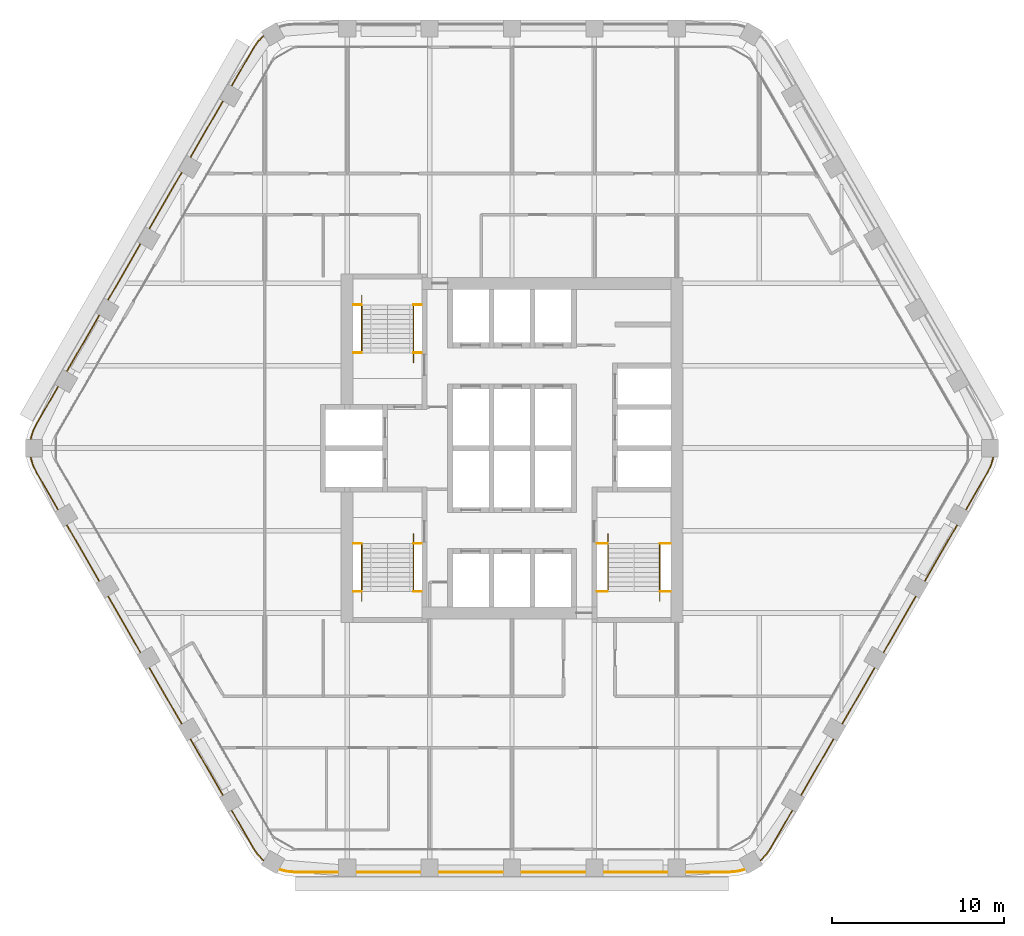
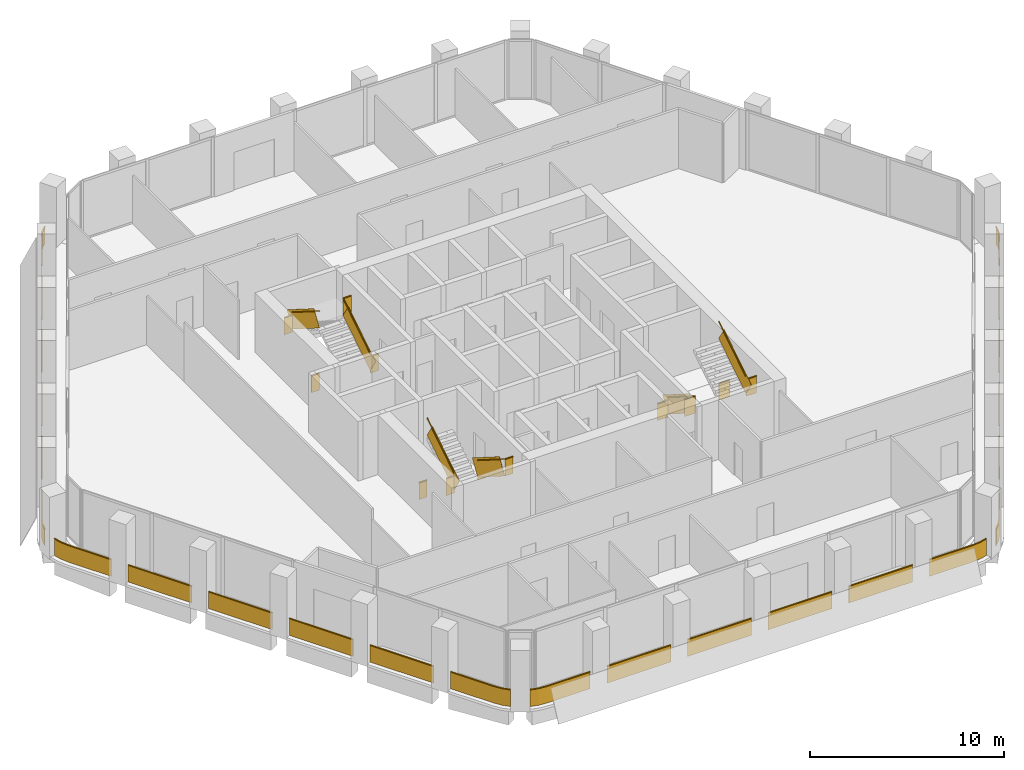
# One storey, part 14 of 15: 10 railings.
"""IFC4 building model written with IfcOpenShell, lengths in metres."""

from ifc_helpers import new_model, si_unit, direction, frame, frame_2d, origin, origin_2d, place, context, subcontext, project, spatial, rectangle, extrude, material, type_object, element, save


model = new_model("IFC4")

# Units and contexts
model_context = context("Model", 3, precision=1e-05, world=origin(), true_north=direction((0.0, 1.0)))
body_context = subcontext(model_context, "Body", "Model", "MODEL_VIEW")
ifc_project = project(units=[si_unit("LENGTHUNIT", "METRE"), si_unit("AREAUNIT", "SQUARE_METRE"), si_unit("VOLUMEUNIT", "CUBIC_METRE"), si_unit("PLANEANGLEUNIT", "RADIAN"), si_unit("MASSUNIT", "GRAM", prefix="KILO")], contexts=[model_context])

# Site, building, storey
site_placement = place(None, origin())
site = spatial("IfcSite", under=ifc_project, at=site_placement, CompositionType="ELEMENT")
building_placement = place(site_placement, origin())
building = spatial("IfcBuilding", under=site, at=building_placement, Name="Kolab Exchange Tower", CompositionType="ELEMENT")
storey_placement = place(building_placement, frame((0.0, 0.0, 205.10009765625)))
storey = spatial("IfcBuildingStorey", under=building, at=storey_placement, Name="L44", CompositionType="ELEMENT", Elevation=205.10009765625)

# Railings
ifc_material_1 = material(Name="Stainless steel 316", Category="steel")
railing_type_1 = type_object("IfcRailingType", Name="GUARD 1100", PredefinedType="GUARDRAIL", material=ifc_material_1)
railing_1_placement = place(storey_placement, frame((-9.25, 5.550048828125, 0.0)))
element("IfcRailing", 1, at=railing_1_placement, inside=storey, type_object=railing_type_1, Name="Guard ST1", PredefinedType="GUARDRAIL", context=body_context, shape_type="SweptSolid", body=[
    extrude(rectangle(XDim=0.05, YDim=0.05, at=origin_2d()), frame((0.0, 0.0, 1.0751953125), z_axis=(1.0, 0.0, 0.0), x_axis=(0.0, 1.0, 0.0)), (0.0, 0.0, 1.0), 0.489990234375),
    extrude(rectangle(XDim=0.012, YDim=1.05009765625, at=frame_2d((0.0, 0.525146484375))), frame((0.0, 0.0, 0.0), z_axis=(1.0, 0.0, 0.0), x_axis=(0.0, 1.0, 0.0)), (0.0, 0.0, 1.0), 0.489990234375),
    extrude(rectangle(XDim=0.05, YDim=0.05, at=origin_2d()), frame((3.510009765625, 0.0, 1.0751953125), z_axis=(1.0, 0.0, 0.0), x_axis=(0.0, 1.0, 0.0)), (0.0, 0.0, 1.0), 0.489990234375),
    extrude(rectangle(XDim=0.012, YDim=1.05009765625, at=frame_2d((0.0, 0.525146484375))), frame((3.510009765625, 0.0, 0.0), z_axis=(1.0, 0.0, 0.0), x_axis=(0.0, 1.0, 0.0)), (0.0, 0.0, 1.0), 0.489990234375),
    extrude(rectangle(XDim=0.05, YDim=0.05, at=origin_2d()), frame((0.0, 2.800048828125, 3.025146484375), z_axis=(1.0, 0.0, 0.0), x_axis=(0.0, 1.0, 0.0)), (0.0, 0.0, 1.0), 0.489990234375),
    extrude(rectangle(XDim=0.012, YDim=1.05009765625, at=frame_2d((0.0, 0.525146484375))), frame((0.0, 2.800048828125, 1.949951171875), z_axis=(1.0, 0.0, 0.0), x_axis=(0.0, 1.0, 0.0)), (0.0, 0.0, 1.0), 0.489990234375),
    extrude(rectangle(XDim=0.05, YDim=0.05, at=origin_2d()), frame((3.510009765625, 2.800048828125, 3.025146484375), z_axis=(1.0, 0.0, 0.0), x_axis=(0.0, 1.0, 0.0)), (0.0, 0.0, 1.0), 0.489990234375),
    extrude(rectangle(XDim=0.012, YDim=1.05009765625, at=frame_2d((0.0, 0.525146484375))), frame((3.510009765625, 2.800048828125, 1.949951171875), z_axis=(1.0, 0.0, 0.0), x_axis=(0.0, 1.0, 0.0)), (0.0, 0.0, 1.0), 0.489990234375),
])
railing_2_placement = place(storey_placement, frame((-5.739990234375, 5.550048828125, 0.17724609375)))
element("IfcRailing", 2, at=railing_2_placement, inside=storey, type_object=railing_type_1, Name="Handrail guard ST1", PredefinedType="GUARDRAIL", context=body_context, shape_type="SweptSolid", body=[
    extrude(rectangle(XDim=0.05, YDim=0.05, at=origin_2d()), frame((0.0, 0.0, 1.0751953125), z_axis=(0.0, 0.844908973607, 0.534910110503), x_axis=(-1.0, 0.0, 0.0)), (0.0, 0.0, 1.0), 3.31396484375),
    extrude(rectangle(XDim=0.012, YDim=1.05009765625, at=frame_2d((0.0, 0.525146484375))), frame((0.0, 0.0, 0.0), z_axis=(0.0, 0.844908973607, 0.534910110503), x_axis=(-1.0, 0.0, 0.0)), (0.0, 0.0, 1.0), 3.31396484375),
    extrude(rectangle(XDim=0.05, YDim=0.05, at=origin_2d()), frame((-3.02001953125, 2.800048828125, 3.025146484375), z_axis=(0.0, -0.844908973607, 0.534910110503), x_axis=(1.0, 0.0, 0.0)), (0.0, 0.0, 1.0), 3.31396484375),
    extrude(rectangle(XDim=0.012, YDim=1.05009765625, at=frame_2d((0.0, 0.525146484375))), frame((-3.02001953125, 2.800048828125, 1.949951171875), z_axis=(0.0, -0.844908973607, 0.534910110503), x_axis=(1.0, 0.0, 0.0)), (0.0, 0.0, 1.0), 3.31396484375),
])
railing_3_placement = place(storey_placement, frame((-9.25, -5.550048828125, 0.0)))
element("IfcRailing", 3, at=railing_3_placement, inside=storey, type_object=railing_type_1, Name="Guard ST3", PredefinedType="GUARDRAIL", context=body_context, shape_type="SweptSolid", body=[
    extrude(rectangle(XDim=0.05, YDim=0.05, at=origin_2d()), frame((0.0, 0.0, 1.0751953125), z_axis=(1.0, 0.0, 0.0), x_axis=(0.0, 1.0, 0.0)), (0.0, 0.0, 1.0), 0.489990234375),
    extrude(rectangle(XDim=0.012, YDim=1.05009765625, at=frame_2d((0.0, 0.525146484375))), frame((0.0, 0.0, 0.0), z_axis=(1.0, 0.0, 0.0), x_axis=(0.0, 1.0, 0.0)), (0.0, 0.0, 1.0), 0.489990234375),
    extrude(rectangle(XDim=0.05, YDim=0.05, at=origin_2d()), frame((3.510009765625, 0.0, 1.0751953125), z_axis=(1.0, 0.0, 0.0), x_axis=(0.0, 1.0, 0.0)), (0.0, 0.0, 1.0), 0.489990234375),
    extrude(rectangle(XDim=0.012, YDim=1.05009765625, at=frame_2d((0.0, 0.525146484375))), frame((3.510009765625, 0.0, 0.0), z_axis=(1.0, 0.0, 0.0), x_axis=(0.0, 1.0, 0.0)), (0.0, 0.0, 1.0), 0.489990234375),
    extrude(rectangle(XDim=0.05, YDim=0.05, at=origin_2d()), frame((0.0, -2.800048828125, 3.025146484375), z_axis=(1.0, 0.0, 0.0), x_axis=(0.0, 1.0, 0.0)), (0.0, 0.0, 1.0), 0.489990234375),
    extrude(rectangle(XDim=0.012, YDim=1.05009765625, at=frame_2d((0.0, 0.525146484375))), frame((0.0, -2.800048828125, 1.949951171875), z_axis=(1.0, 0.0, 0.0), x_axis=(0.0, 1.0, 0.0)), (0.0, 0.0, 1.0), 0.489990234375),
    extrude(rectangle(XDim=0.05, YDim=0.05, at=origin_2d()), frame((3.510009765625, -2.800048828125, 3.025146484375), z_axis=(1.0, 0.0, 0.0), x_axis=(0.0, 1.0, 0.0)), (0.0, 0.0, 1.0), 0.489990234375),
    extrude(rectangle(XDim=0.012, YDim=1.05009765625, at=frame_2d((0.0, 0.525146484375))), frame((3.510009765625, -2.800048828125, 1.949951171875), z_axis=(1.0, 0.0, 0.0), x_axis=(0.0, 1.0, 0.0)), (0.0, 0.0, 1.0), 0.489990234375),
])
railing_4_placement = place(storey_placement, frame((-5.739990234375, -5.550048828125, 0.17724609375)))
element("IfcRailing", 4, at=railing_4_placement, inside=storey, type_object=railing_type_1, Name="Handrail guard ST3", PredefinedType="GUARDRAIL", context=body_context, shape_type="SweptSolid", body=[
    extrude(rectangle(XDim=0.05, YDim=0.05, at=origin_2d()), frame((0.0, 0.0, 1.0751953125), z_axis=(0.0, -0.844908973607, 0.534910110503), x_axis=(1.0, 0.0, 0.0)), (0.0, 0.0, 1.0), 3.31396484375),
    extrude(rectangle(XDim=0.012, YDim=1.05009765625, at=frame_2d((0.0, 0.525146484375))), frame((0.0, 0.0, 0.0), z_axis=(0.0, -0.844908973607, 0.534910110503), x_axis=(1.0, 0.0, 0.0)), (0.0, 0.0, 1.0), 3.31396484375),
    extrude(rectangle(XDim=0.05, YDim=0.05, at=origin_2d()), frame((-3.02001953125, -2.800048828125, 3.025146484375), z_axis=(0.0, 0.844908973607, 0.534910110503), x_axis=(-1.0, 0.0, 0.0)), (0.0, 0.0, 1.0), 3.31396484375),
    extrude(rectangle(XDim=0.012, YDim=1.05009765625, at=frame_2d((0.0, 0.525146484375))), frame((-3.02001953125, -2.800048828125, 1.949951171875), z_axis=(0.0, 0.844908973607, 0.534910110503), x_axis=(-1.0, 0.0, 0.0)), (0.0, 0.0, 1.0), 3.31396484375),
])
railing_5_placement = place(storey_placement, frame((4.949951171875, -5.550048828125, 0.0)))
element("IfcRailing", 5, at=railing_5_placement, inside=storey, type_object=railing_type_1, Name="Guard ST2", PredefinedType="GUARDRAIL", context=body_context, shape_type="SweptSolid", body=[
    extrude(rectangle(XDim=0.05, YDim=0.05, at=origin_2d()), frame((0.0, 0.0, 1.0751953125), z_axis=(1.0, 0.0, 0.0), x_axis=(0.0, 1.0, 0.0)), (0.0, 0.0, 1.0), 0.64013671875),
    extrude(rectangle(XDim=0.012, YDim=1.05009765625, at=frame_2d((0.0, 0.525146484375))), frame((0.0, 0.0, 0.0), z_axis=(1.0, 0.0, 0.0), x_axis=(0.0, 1.0, 0.0)), (0.0, 0.0, 1.0), 0.64013671875),
    extrude(rectangle(XDim=0.05, YDim=0.05, at=origin_2d()), frame((3.66015625, 0.0, 1.0751953125), z_axis=(1.0, 0.0, 0.0), x_axis=(0.0, 1.0, 0.0)), (0.0, 0.0, 1.0), 0.639892578125),
    extrude(rectangle(XDim=0.012, YDim=1.05009765625, at=frame_2d((0.0, 0.525146484375))), frame((3.66015625, 0.0, 0.0), z_axis=(1.0, 0.0, 0.0), x_axis=(0.0, 1.0, 0.0)), (0.0, 0.0, 1.0), 0.639892578125),
    extrude(rectangle(XDim=0.05, YDim=0.05, at=origin_2d()), frame((0.0, -2.800048828125, 3.025146484375), z_axis=(1.0, 0.0, 0.0), x_axis=(0.0, 1.0, 0.0)), (0.0, 0.0, 1.0), 0.64013671875),
    extrude(rectangle(XDim=0.012, YDim=1.05009765625, at=frame_2d((0.0, 0.525146484375))), frame((0.0, -2.800048828125, 1.949951171875), z_axis=(1.0, 0.0, 0.0), x_axis=(0.0, 1.0, 0.0)), (0.0, 0.0, 1.0), 0.64013671875),
    extrude(rectangle(XDim=0.05, YDim=0.05, at=origin_2d()), frame((3.66015625, -2.800048828125, 3.025146484375), z_axis=(1.0, 0.0, 0.0), x_axis=(0.0, 1.0, 0.0)), (0.0, 0.0, 1.0), 0.639892578125),
    extrude(rectangle(XDim=0.012, YDim=1.05009765625, at=frame_2d((0.0, 0.525146484375))), frame((3.66015625, -2.800048828125, 1.949951171875), z_axis=(1.0, 0.0, 0.0), x_axis=(0.0, 1.0, 0.0)), (0.0, 0.0, 1.0), 0.639892578125),
])
railing_6_placement = place(storey_placement, frame((5.590087890625, -5.550048828125, 0.17724609375)))
element("IfcRailing", 6, at=railing_6_placement, inside=storey, type_object=railing_type_1, Name="Handrail guard ST2", PredefinedType="GUARDRAIL", context=body_context, shape_type="SweptSolid", body=[
    extrude(rectangle(XDim=0.05, YDim=0.05, at=origin_2d()), frame((0.0, 0.0, 1.0751953125), z_axis=(0.0, -0.844908973607, 0.534910110503), x_axis=(1.0, 0.0, 0.0)), (0.0, 0.0, 1.0), 3.31396484375),
    extrude(rectangle(XDim=0.012, YDim=1.05009765625, at=frame_2d((0.0, 0.525146484375))), frame((0.0, 0.0, 0.0), z_axis=(0.0, -0.844908973607, 0.534910110503), x_axis=(1.0, 0.0, 0.0)), (0.0, 0.0, 1.0), 3.31396484375),
    extrude(rectangle(XDim=0.05, YDim=0.05, at=origin_2d()), frame((3.02001953125, -2.800048828125, 3.025146484375), z_axis=(0.0, 0.844908973607, 0.534910110503), x_axis=(-1.0, 0.0, 0.0)), (0.0, 0.0, 1.0), 3.31396484375),
    extrude(rectangle(XDim=0.012, YDim=1.05009765625, at=frame_2d((0.0, 0.525146484375))), frame((3.02001953125, -2.800048828125, 1.949951171875), z_axis=(0.0, 0.844908973607, 0.534910110503), x_axis=(-1.0, 0.0, 0.0)), (0.0, 0.0, 1.0), 3.31396484375),
])
ifc_material_2 = material(Name="Steel S235", Category="steel")
railing_type_2 = type_object("IfcRailingType", Name="GUARD 1100 GLASS BALUSTRADE AND STEEL TOP RAIL", PredefinedType="GUARDRAIL", material=ifc_material_2)
railing_7_placement = place(storey_placement, frame((14.4501953125, -24.033447265625, 0.0)))
element("IfcRailing", 7, at=railing_7_placement, inside=storey, type_object=railing_type_2, Name="Guard", PredefinedType="GUARDRAIL", context=body_context, shape_type="SweptSolid", body=[
    extrude(rectangle(XDim=0.05, YDim=0.05, at=origin_2d()), frame((0.0, 0.0, 1.0751953125), z_axis=(0.70737286085, 0.706840601361, 0.0), x_axis=(-0.706840601361, 0.70737286085, 0.0)), (0.0, 0.0, 1.0), 0.458740234375),
    extrude(rectangle(XDim=0.012, YDim=1.05009765625, at=frame_2d((0.0, 0.525146484375))), frame((0.0, 0.0, 0.0), z_axis=(0.70737286085, 0.706840601361, 0.0), x_axis=(-0.706840601361, 0.70737286085, 0.0)), (0.0, 0.0, 1.0), 0.458740234375),
    extrude(rectangle(XDim=0.05, YDim=0.05, at=origin_2d()), frame((0.324462890625, 0.32421875, 1.0751953125), z_axis=(0.573599091554, 0.819136180478, 0.0), x_axis=(-0.819136180478, 0.573599091554, 0.0)), (0.0, 0.0, 1.0), 0.479248046875),
    extrude(rectangle(XDim=0.012, YDim=1.05009765625, at=frame_2d((0.0, 0.525146484375))), frame((0.324462890625, 0.32421875, 0.0), z_axis=(0.573599091554, 0.819136180478, 0.0), x_axis=(-0.819136180478, 0.573599091554, 0.0)), (0.0, 0.0, 1.0), 0.479248046875),
    extrude(rectangle(XDim=0.05, YDim=0.05, at=origin_2d()), frame((0.599365234375, 0.716796875, 1.0751953125), z_axis=(0.499952873616, 0.866052610505, 0.0), x_axis=(-0.866052610505, 0.499952873616, 0.0)), (0.0, 0.0, 1.0), 2.568115234375),
    extrude(rectangle(XDim=0.012, YDim=1.05009765625, at=frame_2d((0.0, 0.525146484375))), frame((0.599365234375, 0.716796875, 0.0), z_axis=(0.499952873616, 0.866052610505, 0.0), x_axis=(-0.866052610505, 0.499952873616, 0.0)), (0.0, 0.0, 1.0), 2.568115234375),
    extrude(rectangle(XDim=0.05, YDim=0.05, at=origin_2d()), frame((2.38330078125, 3.806884765625, 1.0751953125), z_axis=(0.499994975061, 0.866028304915, 0.0), x_axis=(-0.866028304915, 0.499994975061, 0.0)), (0.0, 0.0, 1.0), 3.7998046875),
    extrude(rectangle(XDim=0.012, YDim=1.05009765625, at=frame_2d((0.0, 0.525146484375))), frame((2.38330078125, 3.806884765625, 0.0), z_axis=(0.499994975061, 0.866028304915, 0.0), x_axis=(-0.866028304915, 0.499994975061, 0.0)), (0.0, 0.0, 1.0), 3.7998046875),
    extrude(rectangle(XDim=0.05, YDim=0.05, at=origin_2d()), frame((4.783203125, 7.9638671875, 1.0751953125), z_axis=(0.500043160704, 0.866000483506, 0.0), x_axis=(-0.866000483506, 0.500043160704, 0.0)), (0.0, 0.0, 1.0), 3.800048828125),
    extrude(rectangle(XDim=0.012, YDim=1.05009765625, at=frame_2d((0.0, 0.525146484375))), frame((4.783203125, 7.9638671875, 0.0), z_axis=(0.500043160704, 0.866000483506, 0.0), x_axis=(-0.866000483506, 0.500043160704, 0.0)), (0.0, 0.0, 1.0), 3.800048828125),
    extrude(rectangle(XDim=0.05, YDim=0.05, at=origin_2d()), frame((7.183349609375, 12.12060546875, 1.0751953125), z_axis=(0.499967155389, 0.866044365799, 0.0), x_axis=(-0.866044365799, 0.499967155389, 0.0)), (0.0, 0.0, 1.0), 3.800048828125),
    extrude(rectangle(XDim=0.012, YDim=1.05009765625, at=frame_2d((0.0, 0.525146484375))), frame((7.183349609375, 12.12060546875, 0.0), z_axis=(0.499967155389, 0.866044365799, 0.0), x_axis=(-0.866044365799, 0.499967155389, 0.0)), (0.0, 0.0, 1.0), 3.800048828125),
    extrude(rectangle(XDim=0.05, YDim=0.05, at=origin_2d()), frame((9.583251953125, 16.277587890625, 1.0751953125), z_axis=(0.500015340139, 0.86601654697, 0.0), x_axis=(-0.86601654697, 0.500015340139, 0.0)), (0.0, 0.0, 1.0), 3.80029296875),
    extrude(rectangle(XDim=0.012, YDim=1.05009765625, at=frame_2d((0.0, 0.525146484375))), frame((9.583251953125, 16.277587890625, 0.0), z_axis=(0.500015340139, 0.86601654697, 0.0), x_axis=(-0.86601654697, 0.500015340139, 0.0)), (0.0, 0.0, 1.0), 3.80029296875),
    extrude(rectangle(XDim=0.05, YDim=0.05, at=origin_2d()), frame((11.9833984375, 20.4345703125, 1.0751953125), z_axis=(0.499994038704, 0.866028845513, 0.0), x_axis=(-0.866028845513, 0.499994038704, 0.0)), (0.0, 0.0, 1.0), 2.56787109375),
    extrude(rectangle(XDim=0.012, YDim=1.05009765625, at=frame_2d((0.0, 0.525146484375))), frame((11.9833984375, 20.4345703125, 0.0), z_axis=(0.499994038704, 0.866028845513, 0.0), x_axis=(-0.866028845513, 0.499994038704, 0.0)), (0.0, 0.0, 1.0), 2.56787109375),
    extrude(rectangle(XDim=0.05, YDim=0.05, at=origin_2d()), frame((13.267333984375, 22.658447265625, 1.0751953125), z_axis=(0.422801802984, 0.906222177721, 0.0), x_axis=(-0.906222177721, 0.422801802984, 0.0)), (0.0, 0.0, 1.0), 0.479248046875),
    extrude(rectangle(XDim=0.012, YDim=1.05009765625, at=frame_2d((0.0, 0.525146484375))), frame((13.267333984375, 22.658447265625, 0.0), z_axis=(0.422801802984, 0.906222177721, 0.0), x_axis=(-0.906222177721, 0.422801802984, 0.0)), (0.0, 0.0, 1.0), 0.479248046875),
    extrude(rectangle(XDim=0.05, YDim=0.05, at=origin_2d()), frame((13.469970703125, 23.0927734375, 1.0751953125), z_axis=(0.25865627591, 0.965969425465, 0.0), x_axis=(-0.965969425465, 0.25865627591, 0.0)), (0.0, 0.0, 1.0), 0.458740234375),
    extrude(rectangle(XDim=0.012, YDim=1.05009765625, at=frame_2d((0.0, 0.525146484375))), frame((13.469970703125, 23.0927734375, 0.0), z_axis=(0.25865627591, 0.965969425465, 0.0), x_axis=(-0.965969425465, 0.25865627591, 0.0)), (0.0, 0.0, 1.0), 0.458740234375),
])
railing_8_placement = place(storey_placement, frame((-13.588623046875, -24.531005859375, 0.0)))
element("IfcRailing", 8, at=railing_8_placement, inside=storey, type_object=railing_type_2, Name="Guard", PredefinedType="GUARDRAIL", context=body_context, shape_type="SweptSolid", body=[
    extrude(rectangle(XDim=0.05, YDim=0.05, at=origin_2d()), frame((0.0, 0.0, 1.0751953125), z_axis=(0.965969425465, -0.25865627591, 0.0), x_axis=(0.25865627591, 0.965969425465, 0.0)), (0.0, 0.0, 1.0), 0.458740234375),
    extrude(rectangle(XDim=0.012, YDim=1.05009765625, at=frame_2d((0.0, 0.525146484375))), frame((0.0, 0.0, 0.0), z_axis=(0.965969425465, -0.25865627591, 0.0), x_axis=(0.25865627591, 0.965969425465, 0.0)), (0.0, 0.0, 1.0), 0.458740234375),
    extrude(rectangle(XDim=0.05, YDim=0.05, at=origin_2d()), frame((0.443115234375, -0.11865234375, 1.0751953125), z_axis=(0.996156034798, -0.087596542937, 0.0), x_axis=(0.087596542937, 0.996156034798, 0.0)), (0.0, 0.0, 1.0), 0.4794921875),
    extrude(rectangle(XDim=0.012, YDim=1.05009765625, at=frame_2d((0.0, 0.525146484375))), frame((0.443115234375, -0.11865234375, 0.0), z_axis=(0.996156034798, -0.087596542937, 0.0), x_axis=(0.087596542937, 0.996156034798, 0.0)), (0.0, 0.0, 1.0), 0.4794921875),
    extrude(rectangle(XDim=0.05, YDim=0.05, at=origin_2d()), frame((0.920654296875, -0.16064453125, 1.0751953125), z_axis=(1.0, 0.0, 0.0), x_axis=(0.0, 1.0, 0.0)), (0.0, 0.0, 1.0), 2.56787109375),
    extrude(rectangle(XDim=0.012, YDim=1.05009765625, at=frame_2d((0.0, 0.525146484375))), frame((0.920654296875, -0.16064453125, 0.0), z_axis=(1.0, 0.0, 0.0), x_axis=(0.0, 1.0, 0.0)), (0.0, 0.0, 1.0), 2.56787109375),
    extrude(rectangle(XDim=0.05, YDim=0.05, at=origin_2d()), frame((4.488525390625, -0.16064453125, 1.0751953125), z_axis=(1.0, 0.0, 0.0), x_axis=(0.0, 1.0, 0.0)), (0.0, 0.0, 1.0), 3.800048828125),
    extrude(rectangle(XDim=0.012, YDim=1.05009765625, at=frame_2d((0.0, 0.525146484375))), frame((4.488525390625, -0.16064453125, 0.0), z_axis=(1.0, 0.0, 0.0), x_axis=(0.0, 1.0, 0.0)), (0.0, 0.0, 1.0), 3.800048828125),
    extrude(rectangle(XDim=0.05, YDim=0.05, at=origin_2d()), frame((9.28857421875, -0.16064453125, 1.0751953125), z_axis=(1.0, 0.0, 0.0), x_axis=(0.0, 1.0, 0.0)), (0.0, 0.0, 1.0), 3.800048828125),
    extrude(rectangle(XDim=0.012, YDim=1.05009765625, at=frame_2d((0.0, 0.525146484375))), frame((9.28857421875, -0.16064453125, 0.0), z_axis=(1.0, 0.0, 0.0), x_axis=(0.0, 1.0, 0.0)), (0.0, 0.0, 1.0), 3.800048828125),
    extrude(rectangle(XDim=0.05, YDim=0.05, at=origin_2d()), frame((14.088623046875, -0.16064453125, 1.0751953125), z_axis=(1.0, 0.0, 0.0), x_axis=(0.0, 1.0, 0.0)), (0.0, 0.0, 1.0), 3.800048828125),
    extrude(rectangle(XDim=0.012, YDim=1.05009765625, at=frame_2d((0.0, 0.525146484375))), frame((14.088623046875, -0.16064453125, 0.0), z_axis=(1.0, 0.0, 0.0), x_axis=(0.0, 1.0, 0.0)), (0.0, 0.0, 1.0), 3.800048828125),
    extrude(rectangle(XDim=0.05, YDim=0.05, at=origin_2d()), frame((18.888671875, -0.16064453125, 1.0751953125), z_axis=(1.0, 0.0, 0.0), x_axis=(0.0, 1.0, 0.0)), (0.0, 0.0, 1.0), 3.800048828125),
    extrude(rectangle(XDim=0.012, YDim=1.05009765625, at=frame_2d((0.0, 0.525146484375))), frame((18.888671875, -0.16064453125, 0.0), z_axis=(1.0, 0.0, 0.0), x_axis=(0.0, 1.0, 0.0)), (0.0, 0.0, 1.0), 3.800048828125),
    extrude(rectangle(XDim=0.05, YDim=0.05, at=origin_2d()), frame((23.688720703125, -0.16064453125, 1.0751953125), z_axis=(1.0, 0.0, 0.0), x_axis=(0.0, 1.0, 0.0)), (0.0, 0.0, 1.0), 2.56787109375),
    extrude(rectangle(XDim=0.012, YDim=1.05009765625, at=frame_2d((0.0, 0.525146484375))), frame((23.688720703125, -0.16064453125, 0.0), z_axis=(1.0, 0.0, 0.0), x_axis=(0.0, 1.0, 0.0)), (0.0, 0.0, 1.0), 2.56787109375),
    extrude(rectangle(XDim=0.05, YDim=0.05, at=origin_2d()), frame((26.256591796875, -0.16064453125, 1.0751953125), z_axis=(0.996156034798, 0.087596542937, 0.0), x_axis=(-0.087596542937, 0.996156034798, 0.0)), (0.0, 0.0, 1.0), 0.4794921875),
    extrude(rectangle(XDim=0.012, YDim=1.05009765625, at=frame_2d((0.0, 0.525146484375))), frame((26.256591796875, -0.16064453125, 0.0), z_axis=(0.996156034798, 0.087596542937, 0.0), x_axis=(-0.087596542937, 0.996156034798, 0.0)), (0.0, 0.0, 1.0), 0.4794921875),
    extrude(rectangle(XDim=0.05, YDim=0.05, at=origin_2d()), frame((26.734130859375, -0.11865234375, 1.0751953125), z_axis=(0.965969425465, 0.25865627591, 0.0), x_axis=(-0.25865627591, 0.965969425465, 0.0)), (0.0, 0.0, 1.0), 0.458740234375),
    extrude(rectangle(XDim=0.012, YDim=1.05009765625, at=frame_2d((0.0, 0.525146484375))), frame((26.734130859375, -0.11865234375, 0.0), z_axis=(0.965969425465, 0.25865627591, 0.0), x_axis=(-0.25865627591, 0.965969425465, 0.0)), (0.0, 0.0, 1.0), 0.458740234375),
])
railing_9_placement = place(storey_placement, frame((-28.038818359375, -0.49755859375, 0.0)))
element("IfcRailing", 9, at=railing_9_placement, inside=storey, type_object=railing_type_2, Name="Guard", PredefinedType="GUARDRAIL", context=body_context, shape_type="SweptSolid", body=[
    extrude(rectangle(XDim=0.05, YDim=0.05, at=origin_2d()), frame((0.0, 0.0, 1.0751953125), z_axis=(0.25865627591, -0.965969425465, 0.0), x_axis=(0.965969425465, 0.25865627591, 0.0)), (0.0, 0.0, 1.0), 0.458740234375),
    extrude(rectangle(XDim=0.012, YDim=1.05009765625, at=frame_2d((0.0, 0.525146484375))), frame((0.0, 0.0, 0.0), z_axis=(0.25865627591, -0.965969425465, 0.0), x_axis=(0.965969425465, 0.25865627591, 0.0)), (0.0, 0.0, 1.0), 0.458740234375),
    extrude(rectangle(XDim=0.05, YDim=0.05, at=origin_2d()), frame((0.11865234375, -0.443115234375, 1.0751953125), z_axis=(0.422801802984, -0.906222177721, 0.0), x_axis=(0.906222177721, 0.422801802984, 0.0)), (0.0, 0.0, 1.0), 0.479248046875),
    extrude(rectangle(XDim=0.012, YDim=1.05009765625, at=frame_2d((0.0, 0.525146484375))), frame((0.11865234375, -0.443115234375, 0.0), z_axis=(0.422801802984, -0.906222177721, 0.0), x_axis=(0.906222177721, 0.422801802984, 0.0)), (0.0, 0.0, 1.0), 0.479248046875),
    extrude(rectangle(XDim=0.05, YDim=0.05, at=origin_2d()), frame((0.3212890625, -0.87744140625, 1.0751953125), z_axis=(0.499994038704, -0.866028845513, 0.0), x_axis=(0.866028845513, 0.499994038704, 0.0)), (0.0, 0.0, 1.0), 2.56787109375),
    extrude(rectangle(XDim=0.012, YDim=1.05009765625, at=frame_2d((0.0, 0.525146484375))), frame((0.3212890625, -0.87744140625, 0.0), z_axis=(0.499994038704, -0.866028845513, 0.0), x_axis=(0.866028845513, 0.499994038704, 0.0)), (0.0, 0.0, 1.0), 2.56787109375),
    extrude(rectangle(XDim=0.05, YDim=0.05, at=origin_2d()), frame((2.105224609375, -3.96728515625, 1.0751953125), z_axis=(0.500015340139, -0.86601654697, 0.0), x_axis=(0.86601654697, 0.500015340139, 0.0)), (0.0, 0.0, 1.0), 3.80029296875),
    extrude(rectangle(XDim=0.012, YDim=1.05009765625, at=frame_2d((0.0, 0.525146484375))), frame((2.105224609375, -3.96728515625, 0.0), z_axis=(0.500015340139, -0.86601654697, 0.0), x_axis=(0.86601654697, 0.500015340139, 0.0)), (0.0, 0.0, 1.0), 3.80029296875),
    extrude(rectangle(XDim=0.05, YDim=0.05, at=origin_2d()), frame((4.50537109375, -8.124267578125, 1.0751953125), z_axis=(0.499967155389, -0.866044365799, 0.0), x_axis=(0.866044365799, 0.499967155389, 0.0)), (0.0, 0.0, 1.0), 3.800048828125),
    extrude(rectangle(XDim=0.012, YDim=1.05009765625, at=frame_2d((0.0, 0.525146484375))), frame((4.50537109375, -8.124267578125, 0.0), z_axis=(0.499967155389, -0.866044365799, 0.0), x_axis=(0.866044365799, 0.499967155389, 0.0)), (0.0, 0.0, 1.0), 3.800048828125),
    extrude(rectangle(XDim=0.05, YDim=0.05, at=origin_2d()), frame((6.9052734375, -12.28125, 1.0751953125), z_axis=(0.500043160704, -0.866000483506, 0.0), x_axis=(0.866000483506, 0.500043160704, 0.0)), (0.0, 0.0, 1.0), 3.800048828125),
    extrude(rectangle(XDim=0.012, YDim=1.05009765625, at=frame_2d((0.0, 0.525146484375))), frame((6.9052734375, -12.28125, 0.0), z_axis=(0.500043160704, -0.866000483506, 0.0), x_axis=(0.866000483506, 0.500043160704, 0.0)), (0.0, 0.0, 1.0), 3.800048828125),
    extrude(rectangle(XDim=0.05, YDim=0.05, at=origin_2d()), frame((9.305419921875, -16.438232421875, 1.0751953125), z_axis=(0.499994975061, -0.866028304915, 0.0), x_axis=(0.866028304915, 0.499994975061, 0.0)), (0.0, 0.0, 1.0), 3.7998046875),
    extrude(rectangle(XDim=0.012, YDim=1.05009765625, at=frame_2d((0.0, 0.525146484375))), frame((9.305419921875, -16.438232421875, 0.0), z_axis=(0.499994975061, -0.866028304915, 0.0), x_axis=(0.866028304915, 0.499994975061, 0.0)), (0.0, 0.0, 1.0), 3.7998046875),
    extrude(rectangle(XDim=0.05, YDim=0.05, at=origin_2d()), frame((11.705322265625, -20.594970703125, 1.0751953125), z_axis=(0.499952873616, -0.866052610505, 0.0), x_axis=(0.866052610505, 0.499952873616, 0.0)), (0.0, 0.0, 1.0), 2.568115234375),
    extrude(rectangle(XDim=0.012, YDim=1.05009765625, at=frame_2d((0.0, 0.525146484375))), frame((11.705322265625, -20.594970703125, 0.0), z_axis=(0.499952873616, -0.866052610505, 0.0), x_axis=(0.866052610505, 0.499952873616, 0.0)), (0.0, 0.0, 1.0), 2.568115234375),
    extrude(rectangle(XDim=0.05, YDim=0.05, at=origin_2d()), frame((12.9892578125, -22.819091796875, 1.0751953125), z_axis=(0.573599091554, -0.819136180478, 0.0), x_axis=(0.819136180478, 0.573599091554, 0.0)), (0.0, 0.0, 1.0), 0.479248046875),
    extrude(rectangle(XDim=0.012, YDim=1.05009765625, at=frame_2d((0.0, 0.525146484375))), frame((12.9892578125, -22.819091796875, 0.0), z_axis=(0.573599091554, -0.819136180478, 0.0), x_axis=(0.819136180478, 0.573599091554, 0.0)), (0.0, 0.0, 1.0), 0.479248046875),
    extrude(rectangle(XDim=0.05, YDim=0.05, at=origin_2d()), frame((13.26416015625, -23.211669921875, 1.0751953125), z_axis=(0.70737286085, -0.706840601361, 0.0), x_axis=(0.706840601361, 0.70737286085, 0.0)), (0.0, 0.0, 1.0), 0.458740234375),
    extrude(rectangle(XDim=0.012, YDim=1.05009765625, at=frame_2d((0.0, 0.525146484375))), frame((13.26416015625, -23.211669921875, 0.0), z_axis=(0.70737286085, -0.706840601361, 0.0), x_axis=(0.706840601361, 0.70737286085, 0.0)), (0.0, 0.0, 1.0), 0.458740234375),
])
railing_10_placement = place(storey_placement, frame((-14.4501953125, 24.033447265625, 0.0)))
element("IfcRailing", 10, at=railing_10_placement, inside=storey, type_object=railing_type_2, Name="Guard", PredefinedType="GUARDRAIL", context=body_context, shape_type="SweptSolid", body=[
    extrude(rectangle(XDim=0.05, YDim=0.05, at=origin_2d()), frame((0.0, 0.0, 1.0751953125), z_axis=(-0.70737286085, -0.706840601361, 0.0), x_axis=(0.706840601361, -0.70737286085, 0.0)), (0.0, 0.0, 1.0), 0.458740234375),
    extrude(rectangle(XDim=0.012, YDim=1.05009765625, at=frame_2d((0.0, 0.525146484375))), frame((0.0, 0.0, 0.0), z_axis=(-0.70737286085, -0.706840601361, 0.0), x_axis=(0.706840601361, -0.70737286085, 0.0)), (0.0, 0.0, 1.0), 0.458740234375),
    extrude(rectangle(XDim=0.05, YDim=0.05, at=origin_2d()), frame((-0.324462890625, -0.32421875, 1.0751953125), z_axis=(-0.573599091554, -0.819136180478, 0.0), x_axis=(0.819136180478, -0.573599091554, 0.0)), (0.0, 0.0, 1.0), 0.479248046875),
    extrude(rectangle(XDim=0.012, YDim=1.05009765625, at=frame_2d((0.0, 0.525146484375))), frame((-0.324462890625, -0.32421875, 0.0), z_axis=(-0.573599091554, -0.819136180478, 0.0), x_axis=(0.819136180478, -0.573599091554, 0.0)), (0.0, 0.0, 1.0), 0.479248046875),
    extrude(rectangle(XDim=0.05, YDim=0.05, at=origin_2d()), frame((-0.599365234375, -0.716796875, 1.0751953125), z_axis=(-0.499952873616, -0.866052610505, 0.0), x_axis=(0.866052610505, -0.499952873616, 0.0)), (0.0, 0.0, 1.0), 2.568115234375),
    extrude(rectangle(XDim=0.012, YDim=1.05009765625, at=frame_2d((0.0, 0.525146484375))), frame((-0.599365234375, -0.716796875, 0.0), z_axis=(-0.499952873616, -0.866052610505, 0.0), x_axis=(0.866052610505, -0.499952873616, 0.0)), (0.0, 0.0, 1.0), 2.568115234375),
    extrude(rectangle(XDim=0.05, YDim=0.05, at=origin_2d()), frame((-2.38330078125, -3.806884765625, 1.0751953125), z_axis=(-0.499994975061, -0.866028304915, 0.0), x_axis=(0.866028304915, -0.499994975061, 0.0)), (0.0, 0.0, 1.0), 3.7998046875),
    extrude(rectangle(XDim=0.012, YDim=1.05009765625, at=frame_2d((0.0, 0.525146484375))), frame((-2.38330078125, -3.806884765625, 0.0), z_axis=(-0.499994975061, -0.866028304915, 0.0), x_axis=(0.866028304915, -0.499994975061, 0.0)), (0.0, 0.0, 1.0), 3.7998046875),
    extrude(rectangle(XDim=0.05, YDim=0.05, at=origin_2d()), frame((-4.783203125, -7.9638671875, 1.0751953125), z_axis=(-0.500043160704, -0.866000483506, 0.0), x_axis=(0.866000483506, -0.500043160704, 0.0)), (0.0, 0.0, 1.0), 3.800048828125),
    extrude(rectangle(XDim=0.012, YDim=1.05009765625, at=frame_2d((0.0, 0.525146484375))), frame((-4.783203125, -7.9638671875, 0.0), z_axis=(-0.500043160704, -0.866000483506, 0.0), x_axis=(0.866000483506, -0.500043160704, 0.0)), (0.0, 0.0, 1.0), 3.800048828125),
    extrude(rectangle(XDim=0.05, YDim=0.05, at=origin_2d()), frame((-7.183349609375, -12.12060546875, 1.0751953125), z_axis=(-0.499967155389, -0.866044365799, 0.0), x_axis=(0.866044365799, -0.499967155389, 0.0)), (0.0, 0.0, 1.0), 3.800048828125),
    extrude(rectangle(XDim=0.012, YDim=1.05009765625, at=frame_2d((0.0, 0.525146484375))), frame((-7.183349609375, -12.12060546875, 0.0), z_axis=(-0.499967155389, -0.866044365799, 0.0), x_axis=(0.866044365799, -0.499967155389, 0.0)), (0.0, 0.0, 1.0), 3.800048828125),
    extrude(rectangle(XDim=0.05, YDim=0.05, at=origin_2d()), frame((-9.583251953125, -16.277587890625, 1.0751953125), z_axis=(-0.500015340139, -0.86601654697, 0.0), x_axis=(0.86601654697, -0.500015340139, 0.0)), (0.0, 0.0, 1.0), 3.80029296875),
    extrude(rectangle(XDim=0.012, YDim=1.05009765625, at=frame_2d((0.0, 0.525146484375))), frame((-9.583251953125, -16.277587890625, 0.0), z_axis=(-0.500015340139, -0.86601654697, 0.0), x_axis=(0.86601654697, -0.500015340139, 0.0)), (0.0, 0.0, 1.0), 3.80029296875),
    extrude(rectangle(XDim=0.05, YDim=0.05, at=origin_2d()), frame((-11.9833984375, -20.4345703125, 1.0751953125), z_axis=(-0.499994038704, -0.866028845513, 0.0), x_axis=(0.866028845513, -0.499994038704, 0.0)), (0.0, 0.0, 1.0), 2.56787109375),
    extrude(rectangle(XDim=0.012, YDim=1.05009765625, at=frame_2d((0.0, 0.525146484375))), frame((-11.9833984375, -20.4345703125, 0.0), z_axis=(-0.499994038704, -0.866028845513, 0.0), x_axis=(0.866028845513, -0.499994038704, 0.0)), (0.0, 0.0, 1.0), 2.56787109375),
    extrude(rectangle(XDim=0.05, YDim=0.05, at=origin_2d()), frame((-13.267333984375, -22.658447265625, 1.0751953125), z_axis=(-0.422801802984, -0.906222177721, 0.0), x_axis=(0.906222177721, -0.422801802984, 0.0)), (0.0, 0.0, 1.0), 0.479248046875),
    extrude(rectangle(XDim=0.012, YDim=1.05009765625, at=frame_2d((0.0, 0.525146484375))), frame((-13.267333984375, -22.658447265625, 0.0), z_axis=(-0.422801802984, -0.906222177721, 0.0), x_axis=(0.906222177721, -0.422801802984, 0.0)), (0.0, 0.0, 1.0), 0.479248046875),
    extrude(rectangle(XDim=0.05, YDim=0.05, at=origin_2d()), frame((-13.469970703125, -23.0927734375, 1.0751953125), z_axis=(-0.25865627591, -0.965969425465, 0.0), x_axis=(0.965969425465, -0.25865627591, 0.0)), (0.0, 0.0, 1.0), 0.458740234375),
    extrude(rectangle(XDim=0.012, YDim=1.05009765625, at=frame_2d((0.0, 0.525146484375))), frame((-13.469970703125, -23.0927734375, 0.0), z_axis=(-0.25865627591, -0.965969425465, 0.0), x_axis=(0.965969425465, -0.25865627591, 0.0)), (0.0, 0.0, 1.0), 0.458740234375),
])

save(model, "model.ifc")
